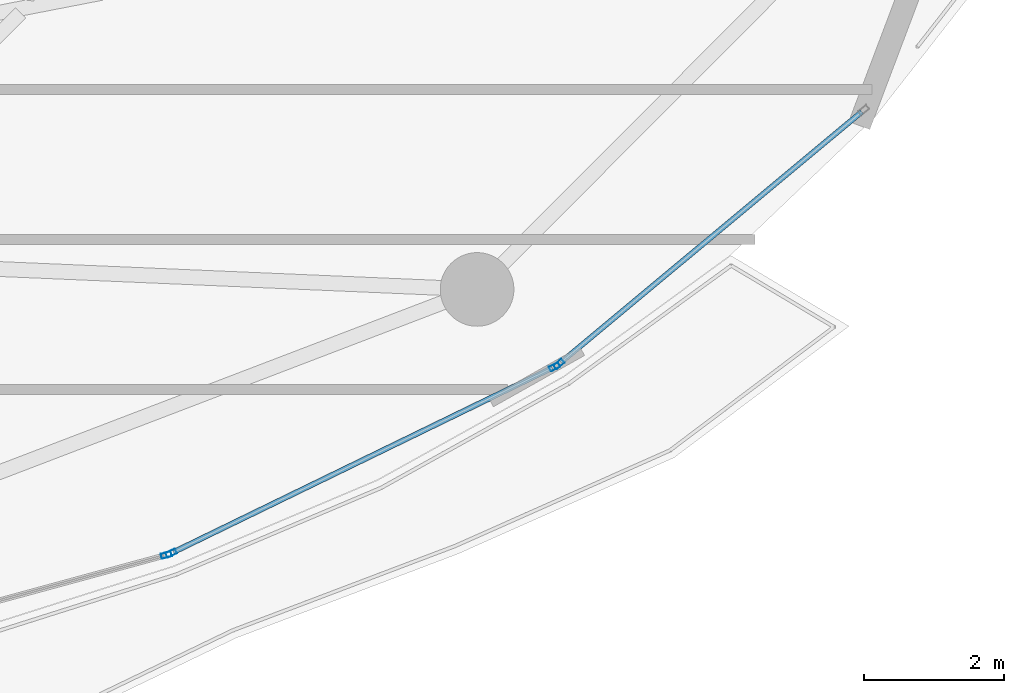
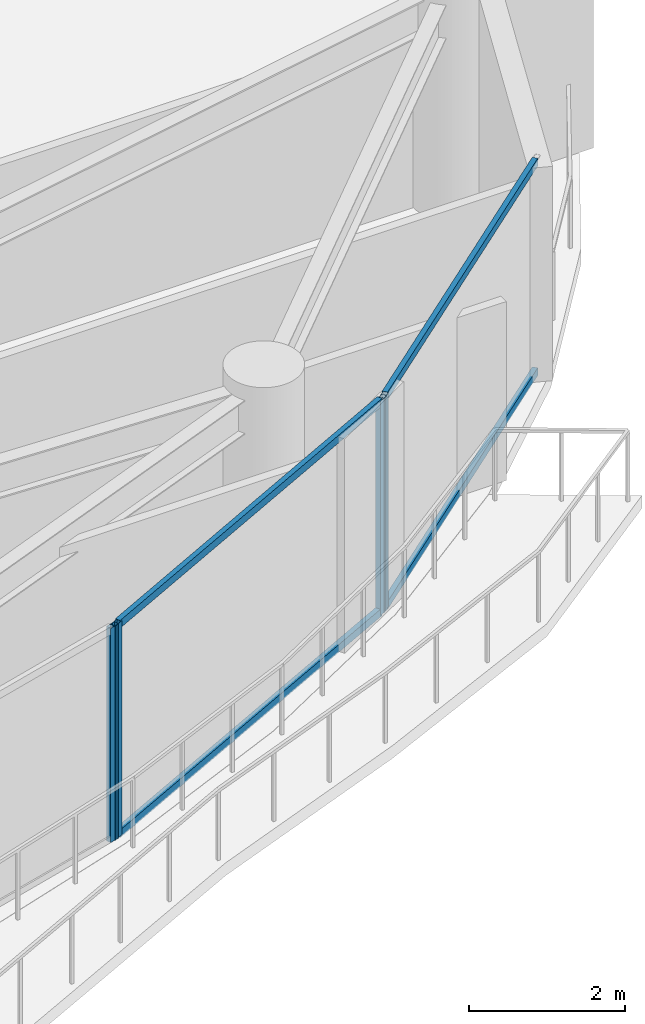
# One storey, part 12 of 29: 8 members, 3 elements without a shape of their own.
"""IFC4 building model written with IfcOpenShell, lengths in metres."""

from ifc_helpers import new_model, si_unit, direction, frame, origin, origin_2d, place, context, subcontext, project, spatial, hollow_rectangle, extrude, material, layer, layer_set, material_profile, profile_set, type_object, element, aggregate, save


model = new_model("IFC4")

# Units and contexts
model_context = context("Model", 3, precision=1e-05, world=origin(), true_north=direction((0.0, 1.0)))
body_context = subcontext(model_context, "Body", "Model", "MODEL_VIEW")
ifc_project = project(units=[si_unit("LENGTHUNIT", "METRE"), si_unit("AREAUNIT", "SQUARE_METRE"), si_unit("VOLUMEUNIT", "CUBIC_METRE"), si_unit("PLANEANGLEUNIT", "RADIAN"), si_unit("MASSUNIT", "GRAM", prefix="KILO")], contexts=[model_context])

# Site, building, storey
site_placement = place(None, origin())
site = spatial("IfcSite", under=ifc_project, at=site_placement, CompositionType="ELEMENT")
building_placement = place(site_placement, origin())
building = spatial("IfcBuilding", under=site, at=building_placement, Name="Kazevale Care Tower and Concert Hall", CompositionType="ELEMENT")
storey_placement = place(building_placement, frame((0.0, 0.0, 199.199951171875)))
storey = spatial("IfcBuildingStorey", under=building, at=storey_placement, Name="L52", CompositionType="ELEMENT", Elevation=199.199951171875)

# Curtain wall, member
ifc_material_1 = material(Name="Aluminium 6063-T6 and Low-E Glass", Category="aluminium")
ifc_layer = layer(ifc_material_1, 0.179931640625)
ifc_layer_set = layer_set([ifc_layer], Name="Aluminium 6063-T6 and Low-E Glass")
curtain_wall_type = type_object("IfcCurtainWallType", Name="Sheltered Concave Balcony Curtain Wall CW-5", PredefinedType="NOTDEFINED", material=ifc_layer_set)
curtain_wall_1_placement = place(storey_placement, origin())
curtain_wall_1 = element("IfcCurtainWall", 1, at=curtain_wall_1_placement, inside=storey, type_object=curtain_wall_type, Name="cw:L52:f02", PredefinedType="NOTDEFINED")
ifc_material_2 = material(Name="Aluminium 6063-T6", Category="aluminium")
ifc_material_profile_1 = material_profile(ifc_material_2, hollow_rectangle(XDim=0.074951171875, YDim=0.14990234375, WallThickness=0.00390625, at=origin_2d()), Name="ALU75x150x4")
ifc_profile_set_1 = profile_set([ifc_material_profile_1], Name="Aluminium 6063-T6")
member_type_1 = type_object("IfcMemberType", Name="CW-5 Mullion ALU75x150x4", PredefinedType="MULLION", material=ifc_profile_set_1)
member_1_placement = place(storey_placement, frame((67.417724609375, 21.5869140625, 0.0), z_axis=(0.0, 0.0, 1.0), x_axis=(0.639961217204, -0.768407210062, 0.0)))
member_1 = element("IfcMember", 2, at=member_1_placement, type_object=member_type_1, Name="CW-5 mullion 2", PredefinedType="MULLION", context=body_context, shape_type="SweptSolid", body=[
    extrude(hollow_rectangle(XDim=0.074951171875, YDim=0.14990234375, WallThickness=0.00390625, at=origin_2d()), origin(), (0.0, 0.0, 1.0), 3.360107421875),
])

# Curtain wall, members
curtain_wall_2_placement = place(storey_placement, origin())
curtain_wall_2 = element("IfcCurtainWall", 3, at=curtain_wall_2_placement, inside=storey, type_object=curtain_wall_type, Name="cw:L52:f03", PredefinedType="NOTDEFINED")
member_2_placement = place(storey_placement, frame((67.355224609375, 21.546630859375, 0.0), z_axis=(0.0, 0.0, 1.0), x_axis=(0.437238357087, -0.89934566163, 0.0)))
member_2 = element("IfcMember", 4, at=member_2_placement, type_object=member_type_1, Name="CW-5 mullion 1", PredefinedType="MULLION", context=body_context, shape_type="SweptSolid", body=[
    extrude(hollow_rectangle(XDim=0.074951171875, YDim=0.14990234375, WallThickness=0.00390625, at=origin_2d()), origin(), (0.0, 0.0, 1.0), 3.360107421875),
])
member_3_placement = place(storey_placement, frame((61.8896484375, 18.889404296875, 0.0), z_axis=(0.0, 0.0, 1.0), x_axis=(0.437238357087, -0.89934566163, 0.0)))
member_3 = element("IfcMember", 5, at=member_3_placement, type_object=member_type_1, Name="CW-5 mullion 2", PredefinedType="MULLION", context=body_context, shape_type="SweptSolid", body=[
    extrude(hollow_rectangle(XDim=0.074951171875, YDim=0.14990234375, WallThickness=0.00390625, at=origin_2d()), origin(), (0.0, 0.0, 1.0), 3.360107421875),
])

# Curtain wall, member
curtain_wall_3_placement = place(storey_placement, origin())
curtain_wall_3 = element("IfcCurtainWall", 6, at=curtain_wall_3_placement, inside=storey, type_object=curtain_wall_type, Name="cw:L52:f04", PredefinedType="NOTDEFINED")
member_4_placement = place(storey_placement, frame((61.81982421875, 18.863037109375, 0.0), z_axis=(0.0, 0.0, 1.0), x_axis=(0.262848968947, -0.964836991167, 0.0)))
member_4 = element("IfcMember", 7, at=member_4_placement, type_object=member_type_1, Name="CW-5 mullion 1", PredefinedType="MULLION", context=body_context, shape_type="SweptSolid", body=[
    extrude(hollow_rectangle(XDim=0.074951171875, YDim=0.14990234375, WallThickness=0.00390625, at=origin_2d()), origin(), (0.0, 0.0, 1.0), 3.360107421875),
])
aggregate(curtain_wall_3, [member_4])

# Member
ifc_material_profile_2 = material_profile(ifc_material_2, hollow_rectangle(XDim=0.074951171875, YDim=0.1201171875, WallThickness=0.00390625, at=origin_2d()), Name="ALU75x120x4")
ifc_profile_set_2 = profile_set([ifc_material_profile_2], Name="Aluminium 6063-T6")
member_type_2 = type_object("IfcMemberType", Name="CW-5 Transom ALU75x120x4", PredefinedType="USERDEFINED", material=ifc_profile_set_2)
member_5_placement = place(storey_placement, frame((71.734375, 25.181884765625, 0.03759765625), z_axis=(-0.768432829708, -0.639930454211, 0.0), x_axis=(0.639930454211, -0.768432829708, 0.0)))
member_5 = element("IfcMember", 8, at=member_5_placement, type_object=member_type_2, Name="CW-5 transom 1.1", ObjectType="TRANSOM", PredefinedType="USERDEFINED", context=body_context, shape_type="SweptSolid", body=[
    extrude(hollow_rectangle(XDim=0.074951171875, YDim=0.1201171875, WallThickness=0.00390625, at=origin_2d()), origin(), (0.0, 0.0, 1.0), 5.580078125),
])

member_6_placement = place(storey_placement, frame((71.734375, 25.181884765625, 3.322509765625), z_axis=(-0.768432829708, -0.639930454211, 0.0), x_axis=(0.639930454211, -0.768432829708, 0.0)))
member_6 = element("IfcMember", 9, at=member_6_placement, type_object=member_type_2, Name="CW-5 transom 1.2", ObjectType="TRANSOM", PredefinedType="USERDEFINED", context=body_context, shape_type="SweptSolid", body=[
    extrude(hollow_rectangle(XDim=0.074951171875, YDim=0.1201171875, WallThickness=0.00390625, at=origin_2d()), origin(), (0.0, 0.0, 1.0), 5.580078125),
])

aggregate(curtain_wall_1, [member_1, member_5, member_6])

member_7_placement = place(storey_placement, frame((67.321533203125, 21.5302734375, 0.03759765625), z_axis=(-0.899342308406, -0.437245254189, 0.0), x_axis=(0.437245254189, -0.899342308406, 0.0)))
member_7 = element("IfcMember", 10, at=member_7_placement, type_object=member_type_2, Name="CW-5 transom 1.1", ObjectType="TRANSOM", PredefinedType="USERDEFINED", context=body_context, shape_type="SweptSolid", body=[
    extrude(hollow_rectangle(XDim=0.074951171875, YDim=0.1201171875, WallThickness=0.00390625, at=origin_2d()), origin(), (0.0, 0.0, 1.0), 6.00244140625),
])

member_8_placement = place(storey_placement, frame((67.321533203125, 21.5302734375, 3.322509765625), z_axis=(-0.899342308406, -0.437245254189, 0.0), x_axis=(0.437245254189, -0.899342308406, 0.0)))
member_8 = element("IfcMember", 11, at=member_8_placement, type_object=member_type_2, Name="CW-5 transom 1.2", ObjectType="TRANSOM", PredefinedType="USERDEFINED", context=body_context, shape_type="SweptSolid", body=[
    extrude(hollow_rectangle(XDim=0.074951171875, YDim=0.1201171875, WallThickness=0.00390625, at=origin_2d()), origin(), (0.0, 0.0, 1.0), 6.00244140625),
])

aggregate(curtain_wall_2, [member_2, member_3, member_7, member_8])

save(model, "model.ifc")
